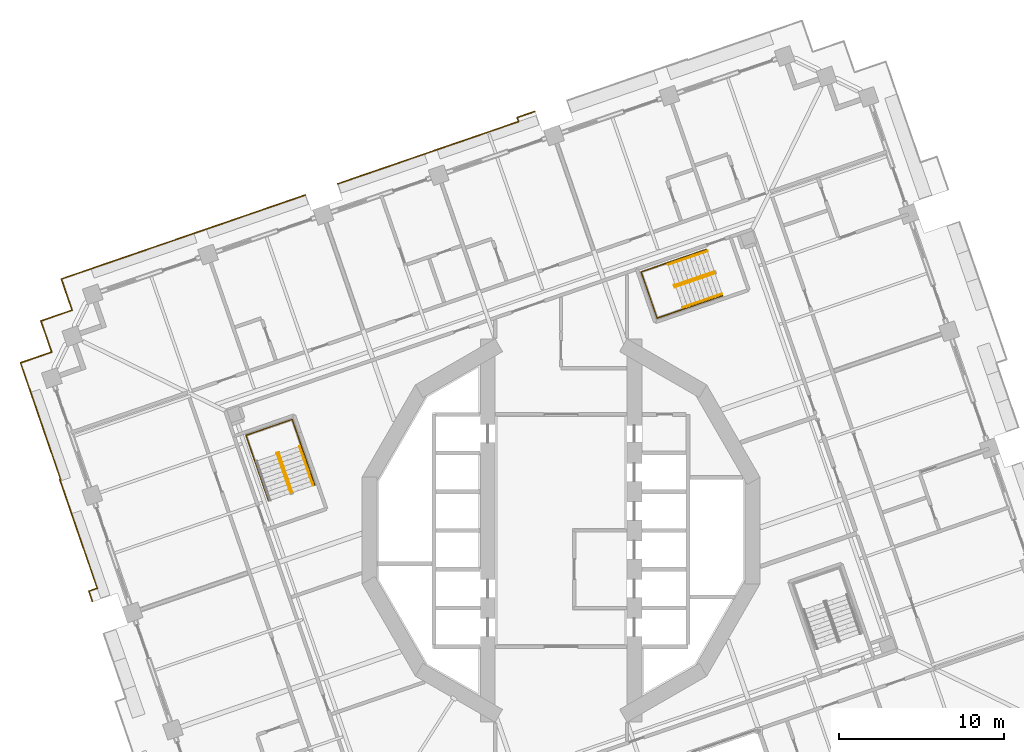
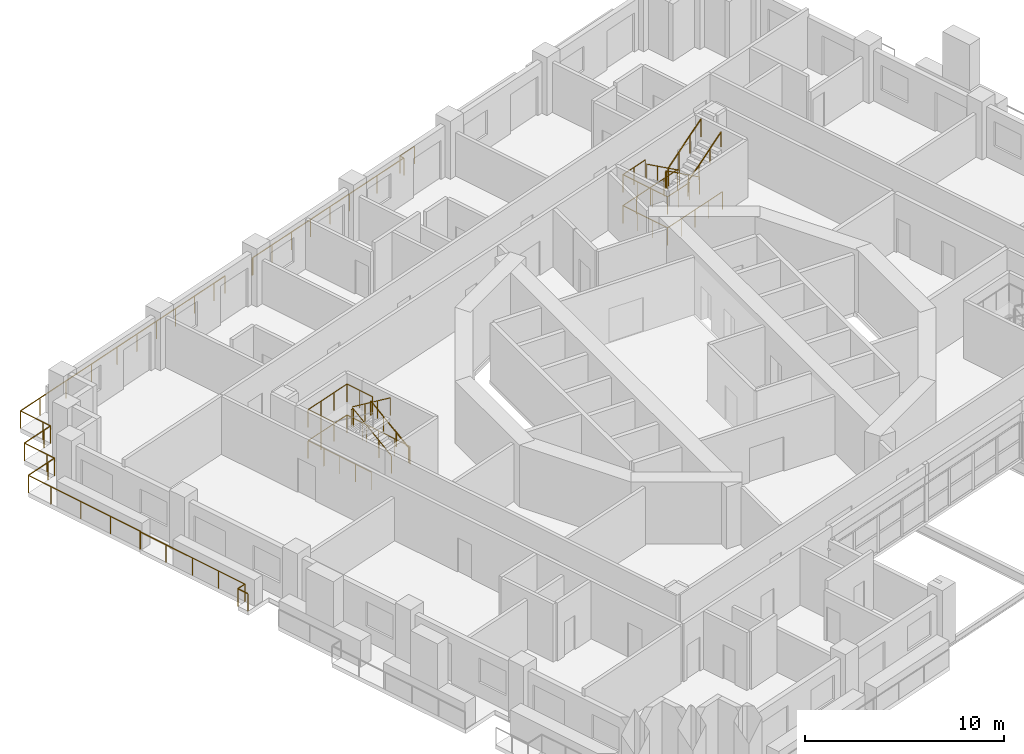
# One storey, part 19 of 22: 14 railings.
"""IFC4 building model written with IfcOpenShell, lengths in metres."""

from ifc_helpers import new_model, si_unit, direction, frame, origin, origin_2d, place, context, subcontext, project, spatial, circle, extrude, material, type_object, element, save


model = new_model("IFC4")

# Units and contexts
model_context = context("Model", 3, precision=1e-05, world=origin(), true_north=direction((0.0, 1.0)))
body_context = subcontext(model_context, "Body", "Model", "MODEL_VIEW")
ifc_project = project(units=[si_unit("LENGTHUNIT", "METRE"), si_unit("AREAUNIT", "SQUARE_METRE"), si_unit("VOLUMEUNIT", "CUBIC_METRE"), si_unit("PLANEANGLEUNIT", "RADIAN"), si_unit("MASSUNIT", "GRAM", prefix="KILO")], contexts=[model_context])

# Site, building, storey
site_placement = place(None, origin())
site = spatial("IfcSite", under=ifc_project, at=site_placement, CompositionType="ELEMENT")
building_placement = place(site_placement, origin())
building = spatial("IfcBuilding", under=site, at=building_placement, Name="Cantera Rosa Tower", CompositionType="ELEMENT")
storey_placement = place(building_placement, frame((0.0, 0.0, 104.10009765625)))
storey = spatial("IfcBuildingStorey", under=building, at=storey_placement, Name="L20", CompositionType="ELEMENT", Elevation=104.10009765625)

# Railings
ifc_material_1 = material(Name="Stainless steel and laminated glass", Category="steel")
railing_type_1 = type_object("IfcRailingType", Name="GUARD 1100", PredefinedType="BALUSTRADE", material=ifc_material_1)
railing_1_placement = place(storey_placement, frame((-29.6689453125, 13.369140625, 0.0)))
element("IfcRailing", 1, at=railing_1_placement, inside=storey, type_object=railing_type_1, Name="GUARD L20-5", PredefinedType="BALUSTRADE", context=body_context, shape_type="SweptSolid", body=[
    extrude(circle(Radius=0.030029296875, at=origin_2d()), frame((0.0, 0.0, 1.070068359375), z_axis=(-0.32573481536, 0.945461173218, 0.0), x_axis=(-0.945461173218, -0.32573481536, 0.0)), (0.0, 0.0, 1.0), 0.5),
    extrude(circle(Radius=0.030029296875, at=origin_2d()), frame((-0.162841796875, 0.47265625, 1.070068359375), z_axis=(-0.325489086777, 0.945545797087, 0.0), x_axis=(-0.945545797087, -0.325489086777, 0.0)), (0.0, 0.0, 1.0), 1.500244140625),
    extrude(circle(Radius=0.030029296875, at=origin_2d()), frame((-0.651123046875, 1.89111328125, 1.070068359375), z_axis=(0.945528551438, 0.325539181077, 0.0), x_axis=(-0.325539181077, 0.945528551438, 0.0)), (0.0, 0.0, 1.0), 1.5),
    extrude(circle(Radius=0.030029296875, at=origin_2d()), frame((0.76708984375, 2.37939453125, 1.070068359375), z_axis=(0.945517123015, 0.325572373037, 0.0), x_axis=(-0.325572373037, 0.945517123015, 0.0)), (0.0, 0.0, 1.0), 5.900146484375),
    extrude(circle(Radius=0.030029296875, at=origin_2d()), frame((6.345703125, 4.30029296875, 1.070068359375), z_axis=(0.945528551438, 0.325539181077, 0.0), x_axis=(-0.325539181077, 0.945528551438, 0.0)), (0.0, 0.0, 1.0), 2.999755859375),
    extrude(circle(Radius=0.030029296875, at=origin_2d()), frame((9.18212890625, 5.27685546875, 1.070068359375), z_axis=(0.945513227049, 0.325583687361, 0.0), x_axis=(-0.325583687361, 0.945513227049, 0.0)), (0.0, 0.0, 1.0), 4.400146484375),
    extrude(circle(Radius=0.030029296875, at=origin_2d()), frame((13.342529296875, 6.70947265625, 1.070068359375), z_axis=(0.945522007901, 0.325558186158, 0.0), x_axis=(-0.325558186158, 0.945522007901, 0.0)), (0.0, 0.0, 1.0), 0.869873046875),
    extrude(circle(Radius=0.02490234375, at=origin_2d()), origin(), (0.0, 0.0, 1.0), 1.0400390625),
    extrude(circle(Radius=0.02490234375, at=origin_2d()), frame((-0.162841796875, 0.47265625, 0.0)), (0.0, 0.0, 1.0), 1.0400390625),
    extrude(circle(Radius=0.02490234375, at=origin_2d()), frame((-0.651123046875, 1.89111328125, 0.0)), (0.0, 0.0, 1.0), 1.0400390625),
    extrude(circle(Radius=0.02490234375, at=origin_2d()), frame((0.76708984375, 2.37939453125, 0.0)), (0.0, 0.0, 1.0), 1.0400390625),
    extrude(circle(Radius=0.02490234375, at=origin_2d()), frame((2.626708984375, 3.019775390625, 0.0)), (0.0, 0.0, 1.0), 1.0400390625),
    extrude(circle(Radius=0.02490234375, at=origin_2d()), frame((4.486083984375, 3.659912109375, 0.0)), (0.0, 0.0, 1.0), 1.0400390625),
    extrude(circle(Radius=0.02490234375, at=origin_2d()), frame((6.345703125, 4.30029296875, 0.0)), (0.0, 0.0, 1.0), 1.0400390625),
    extrude(circle(Radius=0.02490234375, at=origin_2d()), frame((7.763916015625, 4.78857421875, 0.0)), (0.0, 0.0, 1.0), 1.0400390625),
    extrude(circle(Radius=0.02490234375, at=origin_2d()), frame((9.18212890625, 5.27685546875, 0.0)), (0.0, 0.0, 1.0), 1.0400390625),
    extrude(circle(Radius=0.02490234375, at=origin_2d()), frame((10.56884765625, 5.75439453125, 0.0)), (0.0, 0.0, 1.0), 1.0400390625),
    extrude(circle(Radius=0.02490234375, at=origin_2d()), frame((11.955810546875, 6.23193359375, 0.0)), (0.0, 0.0, 1.0), 1.0400390625),
    extrude(circle(Radius=0.02490234375, at=origin_2d()), frame((13.342529296875, 6.70947265625, 0.0)), (0.0, 0.0, 1.0), 1.0400390625),
    extrude(circle(Radius=0.02490234375, at=origin_2d()), frame((14.1650390625, 6.99267578125, 0.0)), (0.0, 0.0, 1.0), 1.0400390625),
])
railing_2_placement = place(storey_placement, frame((-28.4375, -4.302734375, 0.0)))
element("IfcRailing", 2, at=railing_2_placement, inside=storey, type_object=railing_type_1, Name="GUARD L20-6", PredefinedType="BALUSTRADE", context=body_context, shape_type="SweptSolid", body=[
    extrude(circle(Radius=0.030029296875, at=origin_2d()), frame((0.0, 0.0, 1.070068359375), z_axis=(-0.325659546452, 0.945487101871, 0.0), x_axis=(-0.945487101871, -0.325659546452, 0.0)), (0.0, 0.0, 1.0), 0.658935546875),
    extrude(circle(Radius=0.030029296875, at=origin_2d()), frame((-0.214599609375, 0.623046875, 1.070068359375), z_axis=(0.945368163096, 0.326004656722, 0.0), x_axis=(-0.326004656722, 0.945368163096, 0.0)), (0.0, 0.0, 1.0), 0.538330078125),
    extrude(circle(Radius=0.030029296875, at=origin_2d()), frame((0.29443359375, 0.798583984375, 1.070068359375), z_axis=(-0.325570342636, 0.945517822146, 0.0), x_axis=(-0.945517822146, -0.325570342636, 0.0)), (0.0, 0.0, 1.0), 6.9814453125),
    extrude(circle(Radius=0.030029296875, at=origin_2d()), frame((-1.978515625, 7.399658203125, 1.070068359375), z_axis=(0.946241776499, 0.323460199109, 0.0), x_axis=(-0.323460199109, 0.946241776499, 0.0)), (0.0, 0.0, 1.0), 0.050537109375),
    extrude(circle(Radius=0.030029296875, at=origin_2d()), frame((-1.9306640625, 7.416015625, 1.070068359375), z_axis=(-0.325549503815, 0.945524997325, 0.0), x_axis=(-0.945524997325, -0.325549503815, 0.0)), (0.0, 0.0, 1.0), 5.969482421875),
    extrude(circle(Radius=0.030029296875, at=origin_2d()), frame((-3.8740234375, 13.060302734375, 1.070068359375), z_axis=(-0.325539181077, 0.945528551438, 0.0), x_axis=(-0.945528551438, -0.325539181077, 0.0)), (0.0, 0.0, 1.0), 1.5),
    extrude(circle(Radius=0.030029296875, at=origin_2d()), frame((-4.3623046875, 14.478515625, 1.070068359375), z_axis=(0.945528551438, 0.325539181077, 0.0), x_axis=(-0.325539181077, 0.945528551438, 0.0)), (0.0, 0.0, 1.0), 1.5),
    extrude(circle(Radius=0.030029296875, at=origin_2d()), frame((-2.944091796875, 14.966796875, 1.070068359375), z_axis=(0.945461173218, 0.32573481536, 0.0), x_axis=(-0.32573481536, 0.945461173218, 0.0)), (0.0, 0.0, 1.0), 0.5),
    extrude(circle(Radius=0.030029296875, at=origin_2d()), frame((-2.471435546875, 15.129638671875, 1.070068359375), z_axis=(-0.325147989177, 0.945663145699, 0.0), x_axis=(-0.945663145699, -0.325147989177, 0.0)), (0.0, 0.0, 1.0), 0.5),
    extrude(circle(Radius=0.030029296875, at=origin_2d()), frame((-2.634033203125, 15.6025390625, 1.070068359375), z_axis=(-0.325684689469, 0.945478441343, 0.0), x_axis=(-0.945478441343, -0.325684689469, 0.0)), (0.0, 0.0, 1.0), 1.5),
    extrude(circle(Radius=0.030029296875, at=origin_2d()), frame((-3.12255859375, 17.020751953125, 1.070068359375), z_axis=(0.945545797087, 0.325489086777, 0.0), x_axis=(-0.325489086777, 0.945545797087, 0.0)), (0.0, 0.0, 1.0), 1.500244140625),
    extrude(circle(Radius=0.030029296875, at=origin_2d()), frame((-1.7041015625, 17.509033203125, 1.070068359375), z_axis=(0.945461173218, 0.32573481536, 0.0), x_axis=(-0.32573481536, 0.945461173218, 0.0)), (0.0, 0.0, 1.0), 0.5),
    extrude(circle(Radius=0.02490234375, at=origin_2d()), origin(), (0.0, 0.0, 1.0), 1.0400390625),
    extrude(circle(Radius=0.02490234375, at=origin_2d()), frame((-0.214599609375, 0.623046875, 0.0)), (0.0, 0.0, 1.0), 1.0400390625),
    extrude(circle(Radius=0.02490234375, at=origin_2d()), frame((0.29443359375, 0.798583984375, 0.0)), (0.0, 0.0, 1.0), 1.0400390625),
    extrude(circle(Radius=0.02490234375, at=origin_2d()), frame((-0.27392578125, 2.44873046875, 0.0)), (0.0, 0.0, 1.0), 1.0400390625),
    extrude(circle(Radius=0.02490234375, at=origin_2d()), frame((-0.842041015625, 4.09912109375, 0.0)), (0.0, 0.0, 1.0), 1.0400390625),
    extrude(circle(Radius=0.02490234375, at=origin_2d()), frame((-1.41015625, 5.74951171875, 0.0)), (0.0, 0.0, 1.0), 1.0400390625),
    extrude(circle(Radius=0.02490234375, at=origin_2d()), frame((-1.978515625, 7.399658203125, 0.0)), (0.0, 0.0, 1.0), 1.0400390625),
    extrude(circle(Radius=0.02490234375, at=origin_2d()), frame((-1.9306640625, 7.416015625, 0.0)), (0.0, 0.0, 1.0), 1.0400390625),
    extrude(circle(Radius=0.02490234375, at=origin_2d()), frame((-2.578369140625, 9.29736328125, 0.0)), (0.0, 0.0, 1.0), 1.0400390625),
    extrude(circle(Radius=0.02490234375, at=origin_2d()), frame((-3.226318359375, 11.178955078125, 0.0)), (0.0, 0.0, 1.0), 1.0400390625),
    extrude(circle(Radius=0.02490234375, at=origin_2d()), frame((-3.8740234375, 13.060302734375, 0.0)), (0.0, 0.0, 1.0), 1.0400390625),
    extrude(circle(Radius=0.02490234375, at=origin_2d()), frame((-4.3623046875, 14.478515625, 0.0)), (0.0, 0.0, 1.0), 1.0400390625),
    extrude(circle(Radius=0.02490234375, at=origin_2d()), frame((-2.944091796875, 14.966796875, 0.0)), (0.0, 0.0, 1.0), 1.0400390625),
    extrude(circle(Radius=0.02490234375, at=origin_2d()), frame((-2.471435546875, 15.129638671875, 0.0)), (0.0, 0.0, 1.0), 1.0400390625),
    extrude(circle(Radius=0.02490234375, at=origin_2d()), frame((-2.634033203125, 15.6025390625, 0.0)), (0.0, 0.0, 1.0), 1.0400390625),
    extrude(circle(Radius=0.02490234375, at=origin_2d()), frame((-3.12255859375, 17.020751953125, 0.0)), (0.0, 0.0, 1.0), 1.0400390625),
    extrude(circle(Radius=0.02490234375, at=origin_2d()), frame((-1.7041015625, 17.509033203125, 0.0)), (0.0, 0.0, 1.0), 1.0400390625),
    extrude(circle(Radius=0.02490234375, at=origin_2d()), frame((-1.2314453125, 17.671875, 0.0)), (0.0, 0.0, 1.0), 1.0400390625),
])
railing_3_placement = place(storey_placement, frame((-13.55615234375, 21.032470703125, 0.0)))
element("IfcRailing", 3, at=railing_3_placement, inside=storey, type_object=railing_type_1, Name="GUARD L20-7", PredefinedType="BALUSTRADE", context=body_context, shape_type="SweptSolid", body=[
    extrude(circle(Radius=0.030029296875, at=origin_2d()), frame((0.0, 0.0, 1.070068359375), z_axis=(0.946220044844, 0.323523765333, 0.0), x_axis=(-0.323523765333, 0.946220044844, 0.0)), (0.0, 0.0, 1.0), 0.070068359375),
    extrude(circle(Radius=0.030029296875, at=origin_2d()), frame((0.06640625, 0.022705078125, 1.070068359375), z_axis=(0.945507344955, 0.325600768791, 0.0), x_axis=(-0.325600768791, 0.945507344955, 0.0)), (0.0, 0.0, 1.0), 4.39990234375),
    extrude(circle(Radius=0.030029296875, at=origin_2d()), frame((4.2265625, 1.455322265625, 1.070068359375), z_axis=(0.945537175258, 0.325514132114, 0.0), x_axis=(-0.325514132114, 0.945537175258, 0.0)), (0.0, 0.0, 1.0), 3.0),
    extrude(circle(Radius=0.030029296875, at=origin_2d()), frame((7.063232421875, 2.431884765625, 1.070068359375), z_axis=(0.94551645067, 0.325574325633, 0.0), x_axis=(-0.325574325633, 0.94551645067, 0.0)), (0.0, 0.0, 1.0), 4.138671875),
    extrude(circle(Radius=0.030029296875, at=origin_2d()), frame((10.976318359375, 3.779296875, 1.070068359375), z_axis=(-0.325731798778, 0.9454622125, 0.0), x_axis=(-0.9454622125, -0.325731798778, 0.0)), (0.0, 0.0, 1.0), 0.261474609375),
    extrude(circle(Radius=0.030029296875, at=origin_2d()), frame((10.89111328125, 4.026611328125, 1.070068359375), z_axis=(0.945508186981, 0.325598323632, 0.0), x_axis=(-0.325598323632, 0.945508186981, 0.0)), (0.0, 0.0, 1.0), 1.131591796875),
    extrude(circle(Radius=0.02490234375, at=origin_2d()), origin(), (0.0, 0.0, 1.0), 1.0400390625),
    extrude(circle(Radius=0.02490234375, at=origin_2d()), frame((0.06640625, 0.022705078125, 0.0)), (0.0, 0.0, 1.0), 1.0400390625),
    extrude(circle(Radius=0.02490234375, at=origin_2d()), frame((1.453125, 0.500244140625, 0.0)), (0.0, 0.0, 1.0), 1.0400390625),
    extrude(circle(Radius=0.02490234375, at=origin_2d()), frame((2.83984375, 0.977783203125, 0.0)), (0.0, 0.0, 1.0), 1.0400390625),
    extrude(circle(Radius=0.02490234375, at=origin_2d()), frame((4.2265625, 1.455322265625, 0.0)), (0.0, 0.0, 1.0), 1.0400390625),
    extrude(circle(Radius=0.02490234375, at=origin_2d()), frame((5.64501953125, 1.943603515625, 0.0)), (0.0, 0.0, 1.0), 1.0400390625),
    extrude(circle(Radius=0.02490234375, at=origin_2d()), frame((7.063232421875, 2.431884765625, 0.0)), (0.0, 0.0, 1.0), 1.0400390625),
    extrude(circle(Radius=0.02490234375, at=origin_2d()), frame((9.019775390625, 3.10546875, 0.0)), (0.0, 0.0, 1.0), 1.0400390625),
    extrude(circle(Radius=0.02490234375, at=origin_2d()), frame((10.976318359375, 3.779296875, 0.0)), (0.0, 0.0, 1.0), 1.0400390625),
    extrude(circle(Radius=0.02490234375, at=origin_2d()), frame((10.89111328125, 4.026611328125, 0.0)), (0.0, 0.0, 1.0), 1.0400390625),
    extrude(circle(Radius=0.02490234375, at=origin_2d()), frame((11.9609375, 4.39501953125, 0.0)), (0.0, 0.0, 1.0), 1.0400390625),
])
ifc_material_2 = material(Name="Steel S355J2 (EN 10025-2)", Category="steel")
railing_type_2 = type_object("IfcRailingType", Name="STAIR GUARD 1100", PredefinedType="GUARDRAIL", material=ifc_material_2)
railing_4_placement = place(storey_placement, frame((9.307861328125, 15.7021484375, 0.18994140625)))
element("IfcRailing", 4, at=railing_4_placement, inside=storey, type_object=railing_type_2, Name="L20 ST-21 stair guard 1", PredefinedType="GUARDRAIL", context=body_context, shape_type="SweptSolid", body=[
    extrude(circle(Radius=0.02392578125, at=origin_2d()), frame((0.0, 0.0, 1.076171875), z_axis=(-0.782404165978, -0.269432418223, 0.561471186323), x_axis=(0.325599548996, -0.94550776501, 0.0)), (0.0, 0.0, 1.0), 3.04541015625),
    extrude(circle(Radius=0.02392578125, at=origin_2d()), frame((-2.3828125, -0.820556640625, 2.7861328125), z_axis=(-0.989063265047, 0.147491890402, 0.0), x_axis=(-0.147491890402, -0.989063265047, 0.0)), (0.0, 0.0, 1.0), 0.056396484375),
    extrude(circle(Radius=0.02392578125, at=origin_2d()), frame((-2.4384765625, -0.812255859375, 2.7861328125), z_axis=(0.325990683319, -0.945372981626, 0.0), x_axis=(0.945372981626, 0.325990683319, 0.0)), (0.0, 0.0, 1.0), 0.14990234375),
    extrude(circle(Radius=0.02099609375, at=origin_2d()), origin(), (0.0, 0.0, 1.0), 1.052001953125),
    extrude(circle(Radius=0.02099609375, at=origin_2d()), frame((-0.794189453125, -0.2734375, 0.570068359375)), (0.0, 0.0, 1.0), 1.052001953125),
    extrude(circle(Radius=0.02099609375, at=origin_2d()), frame((-1.588623046875, -0.547119140625, 1.139892578125)), (0.0, 0.0, 1.0), 1.052001953125),
    extrude(circle(Radius=0.02099609375, at=origin_2d()), frame((-2.3828125, -0.820556640625, 1.7099609375)), (0.0, 0.0, 1.0), 1.052001953125),
    extrude(circle(Radius=0.02099609375, at=origin_2d()), frame((-2.4384765625, -0.812255859375, 1.7099609375)), (0.0, 0.0, 1.0), 1.052001953125),
    extrude(circle(Radius=0.02099609375, at=origin_2d()), frame((-2.3896484375, -0.953857421875, 1.7099609375)), (0.0, 0.0, 1.0), 1.052001953125),
])
railing_5_placement = place(storey_placement, frame((6.95703125, 14.7890625, 2.08984375)))
element("IfcRailing", 5, at=railing_5_placement, inside=storey, type_object=railing_type_2, Name="L20 ST-21 stair guard 2", PredefinedType="GUARDRAIL", context=body_context, shape_type="SweptSolid", body=[
    extrude(circle(Radius=0.02392578125, at=origin_2d()), frame((0.0, 0.0, 1.076171875), z_axis=(0.782389970342, 0.269374966733, 0.561518531845), x_axis=(-0.325542759796, 0.945527319301, 0.0)), (0.0, 0.0, 1.0), 3.045166015625),
    extrude(circle(Radius=0.02099609375, at=origin_2d()), origin(), (0.0, 0.0, 1.0), 1.052001953125),
    extrude(circle(Radius=0.02099609375, at=origin_2d()), frame((0.794189453125, 0.2734375, 0.570068359375)), (0.0, 0.0, 1.0), 1.052001953125),
    extrude(circle(Radius=0.02099609375, at=origin_2d()), frame((1.58837890625, 0.546875, 1.139892578125)), (0.0, 0.0, 1.0), 1.052001953125),
    extrude(circle(Radius=0.02099609375, at=origin_2d()), frame((2.382568359375, 0.8203125, 1.7099609375)), (0.0, 0.0, 1.0), 1.052001953125),
])
railing_6_placement = place(storey_placement, frame((8.828857421875, 17.055908203125, 0.0)))
element("IfcRailing", 6, at=railing_6_placement, inside=storey, type_object=railing_type_2, Name="L20 ST-21 stair guard 4", PredefinedType="GUARDRAIL", context=body_context, shape_type="SweptSolid", body=[
    extrude(circle(Radius=0.02392578125, at=origin_2d()), frame((0.0, 0.0, 1.076171875), z_axis=(-0.945519978022, -0.325564081496, 0.0), x_axis=(0.325564081496, -0.945519978022, 0.0)), (0.0, 0.0, 1.0), 4.197998046875),
    extrude(circle(Radius=0.02392578125, at=origin_2d()), frame((-3.96923828125, -1.36669921875, 1.076171875), z_axis=(0.325608117645, -0.945504814226, 0.0), x_axis=(0.945504814226, 0.325608117645, 0.0)), (0.0, 0.0, 1.0), 2.969970703125),
    extrude(circle(Radius=0.02392578125, at=origin_2d()), frame((-3.002197265625, -4.1748046875, 1.076171875), z_axis=(0.945519978022, 0.325564081496, 0.0), x_axis=(-0.325564081496, 0.945519978022, 0.0)), (0.0, 0.0, 1.0), 4.197998046875),
    extrude(circle(Radius=0.02099609375, at=origin_2d()), origin(), (0.0, 0.0, 1.0), 1.052001953125),
    extrude(circle(Radius=0.02099609375, at=origin_2d()), frame((-0.9921875, -0.341796875, 0.0)), (0.0, 0.0, 1.0), 1.052001953125),
    extrude(circle(Radius=0.02099609375, at=origin_2d()), frame((-1.984619140625, -0.683349609375, 0.0)), (0.0, 0.0, 1.0), 1.052001953125),
    extrude(circle(Radius=0.02099609375, at=origin_2d()), frame((-2.97705078125, -1.02490234375, 0.0)), (0.0, 0.0, 1.0), 1.052001953125),
    extrude(circle(Radius=0.02099609375, at=origin_2d()), frame((-3.96923828125, -1.36669921875, 0.0)), (0.0, 0.0, 1.0), 1.052001953125),
    extrude(circle(Radius=0.02099609375, at=origin_2d()), frame((-3.64697265625, -2.302734375, 0.0)), (0.0, 0.0, 1.0), 1.052001953125),
    extrude(circle(Radius=0.02099609375, at=origin_2d()), frame((-3.324462890625, -3.23876953125, 0.0)), (0.0, 0.0, 1.0), 1.052001953125),
    extrude(circle(Radius=0.02099609375, at=origin_2d()), frame((-3.002197265625, -4.1748046875, 0.0)), (0.0, 0.0, 1.0), 1.052001953125),
    extrude(circle(Radius=0.02099609375, at=origin_2d()), frame((-2.009765625, -3.8330078125, 0.0)), (0.0, 0.0, 1.0), 1.052001953125),
    extrude(circle(Radius=0.02099609375, at=origin_2d()), frame((-1.017578125, -3.491455078125, 0.0)), (0.0, 0.0, 1.0), 1.052001953125),
    extrude(circle(Radius=0.02099609375, at=origin_2d()), frame((-0.025390625, -3.14990234375, 0.0)), (0.0, 0.0, 1.0), 1.052001953125),
    extrude(circle(Radius=0.02099609375, at=origin_2d()), frame((0.967041015625, -2.80810546875, 0.0)), (0.0, 0.0, 1.0), 1.052001953125),
])
railing_7_placement = place(storey_placement, frame((6.468994140625, 16.243408203125, 1.89990234375)))
element("IfcRailing", 7, at=railing_7_placement, inside=storey, type_object=railing_type_2, Name="L20 ST-21 stair guard 5", PredefinedType="GUARDRAIL", context=body_context, shape_type="SweptSolid", body=[
    extrude(circle(Radius=0.02392578125, at=origin_2d()), frame((0.0, 0.0, 1.076171875), z_axis=(-0.94551008141, -0.32559282233, 0.0), x_axis=(0.32559282233, -0.94551008141, 0.0)), (0.0, 0.0, 1.0), 1.7021484375),
    extrude(circle(Radius=0.02392578125, at=origin_2d()), frame((-1.609375, -0.55419921875, 1.076171875), z_axis=(0.325608117645, -0.945504814226, 0.0), x_axis=(0.945504814226, 0.325608117645, 0.0)), (0.0, 0.0, 1.0), 2.969970703125),
    extrude(circle(Radius=0.02392578125, at=origin_2d()), frame((-0.642333984375, -3.3623046875, 1.076171875), z_axis=(0.945539033546, 0.325508734201, 0.0), x_axis=(-0.325508734201, 0.945539033546, 0.0)), (0.0, 0.0, 1.0), 1.701904296875),
    extrude(circle(Radius=0.02099609375, at=origin_2d()), origin(), (0.0, 0.0, 1.0), 1.052001953125),
    extrude(circle(Radius=0.02099609375, at=origin_2d()), frame((-0.8046875, -0.277099609375, 0.0)), (0.0, 0.0, 1.0), 1.052001953125),
    extrude(circle(Radius=0.02099609375, at=origin_2d()), frame((-1.609375, -0.55419921875, 0.0)), (0.0, 0.0, 1.0), 1.052001953125),
    extrude(circle(Radius=0.02099609375, at=origin_2d()), frame((-1.287109375, -1.490234375, 0.0)), (0.0, 0.0, 1.0), 1.052001953125),
    extrude(circle(Radius=0.02099609375, at=origin_2d()), frame((-0.964599609375, -2.42626953125, 0.0)), (0.0, 0.0, 1.0), 1.052001953125),
    extrude(circle(Radius=0.02099609375, at=origin_2d()), frame((-0.642333984375, -3.3623046875, 0.0)), (0.0, 0.0, 1.0), 1.052001953125),
    extrude(circle(Radius=0.02099609375, at=origin_2d()), frame((0.162109375, -3.08544921875, 0.0)), (0.0, 0.0, 1.0), 1.052001953125),
    extrude(circle(Radius=0.02099609375, at=origin_2d()), frame((0.966796875, -2.808349609375, 0.0)), (0.0, 0.0, 1.0), 1.052001953125),
])
railing_8_placement = place(storey_placement, frame((-16.2978515625, 2.292236328125, 0.18994140625)))
element("IfcRailing", 8, at=railing_8_placement, inside=storey, type_object=railing_type_2, Name="L20 ST-22 stair guard 1", PredefinedType="GUARDRAIL", context=body_context, shape_type="SweptSolid", body=[
    extrude(circle(Radius=0.02392578125, at=origin_2d()), frame((0.0, 0.0, 1.076171875), z_axis=(-0.269432418223, 0.782404165978, 0.561471186323), x_axis=(-0.94550776501, -0.325599548996, 0.0)), (0.0, 0.0, 1.0), 3.04541015625),
    extrude(circle(Radius=0.02392578125, at=origin_2d()), frame((-0.820556640625, 2.3828125, 2.7861328125), z_axis=(0.147491890402, 0.989063265047, 0.0), x_axis=(-0.989063265047, 0.147491890402, 0.0)), (0.0, 0.0, 1.0), 0.056396484375),
    extrude(circle(Radius=0.02392578125, at=origin_2d()), frame((-0.812255859375, 2.4384765625, 2.7861328125), z_axis=(-0.945372981626, -0.325990683319, 0.0), x_axis=(0.325990683319, -0.945372981626, 0.0)), (0.0, 0.0, 1.0), 0.14990234375),
    extrude(circle(Radius=0.02099609375, at=origin_2d()), origin(), (0.0, 0.0, 1.0), 1.052001953125),
    extrude(circle(Radius=0.02099609375, at=origin_2d()), frame((-0.2734375, 0.794189453125, 0.570068359375)), (0.0, 0.0, 1.0), 1.052001953125),
    extrude(circle(Radius=0.02099609375, at=origin_2d()), frame((-0.547119140625, 1.588623046875, 1.139892578125)), (0.0, 0.0, 1.0), 1.052001953125),
    extrude(circle(Radius=0.02099609375, at=origin_2d()), frame((-0.820556640625, 2.3828125, 1.7099609375)), (0.0, 0.0, 1.0), 1.052001953125),
    extrude(circle(Radius=0.02099609375, at=origin_2d()), frame((-0.812255859375, 2.4384765625, 1.7099609375)), (0.0, 0.0, 1.0), 1.052001953125),
    extrude(circle(Radius=0.02099609375, at=origin_2d()), frame((-0.953857421875, 2.3896484375, 1.7099609375)), (0.0, 0.0, 1.0), 1.052001953125),
])
railing_9_placement = place(storey_placement, frame((-17.2109375, 4.64306640625, 2.08984375)))
element("IfcRailing", 9, at=railing_9_placement, inside=storey, type_object=railing_type_2, Name="L20 ST-22 stair guard 2", PredefinedType="GUARDRAIL", context=body_context, shape_type="SweptSolid", body=[
    extrude(circle(Radius=0.02392578125, at=origin_2d()), frame((0.0, 0.0, 1.076171875), z_axis=(0.269358070891, -0.782421063063, 0.561483312059), x_axis=(0.945537585866, 0.325512939397, 0.0)), (0.0, 0.0, 1.0), 3.04541015625),
    extrude(circle(Radius=0.02099609375, at=origin_2d()), origin(), (0.0, 0.0, 1.0), 1.052001953125),
    extrude(circle(Radius=0.02099609375, at=origin_2d()), frame((0.2734375, -0.794189453125, 0.570068359375)), (0.0, 0.0, 1.0), 1.052001953125),
    extrude(circle(Radius=0.02099609375, at=origin_2d()), frame((0.546875, -1.588623046875, 1.139892578125)), (0.0, 0.0, 1.0), 1.052001953125),
    extrude(circle(Radius=0.02099609375, at=origin_2d()), frame((0.8203125, -2.3828125, 1.7099609375)), (0.0, 0.0, 1.0), 1.052001953125),
])
railing_10_placement = place(storey_placement, frame((-14.944091796875, 2.77099609375, 0.0)))
element("IfcRailing", 10, at=railing_10_placement, inside=storey, type_object=railing_type_2, Name="L20 ST-22 stair guard 4", PredefinedType="GUARDRAIL", context=body_context, shape_type="SweptSolid", body=[
    extrude(circle(Radius=0.02392578125, at=origin_2d()), frame((0.0, 0.0, 1.076171875), z_axis=(-0.325546180042, 0.945526141712, 0.0), x_axis=(-0.945526141712, -0.325546180042, 0.0)), (0.0, 0.0, 1.0), 4.1982421875),
    extrude(circle(Radius=0.02392578125, at=origin_2d()), frame((-1.36669921875, 3.969482421875, 1.076171875), z_axis=(-0.945504814226, -0.325608117645, 0.0), x_axis=(0.325608117645, -0.945504814226, 0.0)), (0.0, 0.0, 1.0), 2.969970703125),
    extrude(circle(Radius=0.02392578125, at=origin_2d()), frame((-4.1748046875, 3.00244140625, 1.076171875), z_axis=(0.325564081496, -0.945519978022, 0.0), x_axis=(0.945519978022, 0.325564081496, 0.0)), (0.0, 0.0, 1.0), 4.197998046875),
    extrude(circle(Radius=0.02099609375, at=origin_2d()), origin(), (0.0, 0.0, 1.0), 1.052001953125),
    extrude(circle(Radius=0.02099609375, at=origin_2d()), frame((-0.341796875, 0.992431640625, 0.0)), (0.0, 0.0, 1.0), 1.052001953125),
    extrude(circle(Radius=0.02099609375, at=origin_2d()), frame((-0.683349609375, 1.98486328125, 0.0)), (0.0, 0.0, 1.0), 1.052001953125),
    extrude(circle(Radius=0.02099609375, at=origin_2d()), frame((-1.02490234375, 2.97705078125, 0.0)), (0.0, 0.0, 1.0), 1.052001953125),
    extrude(circle(Radius=0.02099609375, at=origin_2d()), frame((-1.36669921875, 3.969482421875, 0.0)), (0.0, 0.0, 1.0), 1.052001953125),
    extrude(circle(Radius=0.02099609375, at=origin_2d()), frame((-2.302734375, 3.647216796875, 0.0)), (0.0, 0.0, 1.0), 1.052001953125),
    extrude(circle(Radius=0.02099609375, at=origin_2d()), frame((-3.23876953125, 3.32470703125, 0.0)), (0.0, 0.0, 1.0), 1.052001953125),
    extrude(circle(Radius=0.02099609375, at=origin_2d()), frame((-4.1748046875, 3.00244140625, 0.0)), (0.0, 0.0, 1.0), 1.052001953125),
    extrude(circle(Radius=0.02099609375, at=origin_2d()), frame((-3.8330078125, 2.01025390625, 0.0)), (0.0, 0.0, 1.0), 1.052001953125),
    extrude(circle(Radius=0.02099609375, at=origin_2d()), frame((-3.491455078125, 1.017822265625, 0.0)), (0.0, 0.0, 1.0), 1.052001953125),
    extrude(circle(Radius=0.02099609375, at=origin_2d()), frame((-3.14990234375, 0.025390625, 0.0)), (0.0, 0.0, 1.0), 1.052001953125),
    extrude(circle(Radius=0.02099609375, at=origin_2d()), frame((-2.80810546875, -0.966796875, 0.0)), (0.0, 0.0, 1.0), 1.052001953125),
])
railing_11_placement = place(storey_placement, frame((-15.756591796875, 5.131103515625, 1.89990234375)))
element("IfcRailing", 11, at=railing_11_placement, inside=storey, type_object=railing_type_2, Name="L20 ST-22 stair guard 5", PredefinedType="GUARDRAIL", context=body_context, shape_type="SweptSolid", body=[
    extrude(circle(Radius=0.02392578125, at=origin_2d()), frame((0.0, 0.0, 1.076171875), z_axis=(-0.32559282233, 0.94551008141, 0.0), x_axis=(-0.94551008141, -0.32559282233, 0.0)), (0.0, 0.0, 1.0), 1.7021484375),
    extrude(circle(Radius=0.02392578125, at=origin_2d()), frame((-0.55419921875, 1.609375, 1.076171875), z_axis=(-0.945504814226, -0.325608117645, 0.0), x_axis=(0.325608117645, -0.945504814226, 0.0)), (0.0, 0.0, 1.0), 2.969970703125),
    extrude(circle(Radius=0.02392578125, at=origin_2d()), frame((-3.3623046875, 0.642333984375, 1.076171875), z_axis=(0.325464585813, -0.945554230799, 0.0), x_axis=(0.945554230799, 0.325464585813, 0.0)), (0.0, 0.0, 1.0), 1.7021484375),
    extrude(circle(Radius=0.02099609375, at=origin_2d()), origin(), (0.0, 0.0, 1.0), 1.052001953125),
    extrude(circle(Radius=0.02099609375, at=origin_2d()), frame((-0.277099609375, 0.8046875, 0.0)), (0.0, 0.0, 1.0), 1.052001953125),
    extrude(circle(Radius=0.02099609375, at=origin_2d()), frame((-0.55419921875, 1.609375, 0.0)), (0.0, 0.0, 1.0), 1.052001953125),
    extrude(circle(Radius=0.02099609375, at=origin_2d()), frame((-1.490234375, 1.287109375, 0.0)), (0.0, 0.0, 1.0), 1.052001953125),
    extrude(circle(Radius=0.02099609375, at=origin_2d()), frame((-2.42626953125, 0.964599609375, 0.0)), (0.0, 0.0, 1.0), 1.052001953125),
    extrude(circle(Radius=0.02099609375, at=origin_2d()), frame((-3.3623046875, 0.642333984375, 0.0)), (0.0, 0.0, 1.0), 1.052001953125),
    extrude(circle(Radius=0.02099609375, at=origin_2d()), frame((-3.08544921875, -0.162353515625, 0.0)), (0.0, 0.0, 1.0), 1.052001953125),
    extrude(circle(Radius=0.02099609375, at=origin_2d()), frame((-2.808349609375, -0.967041015625, 0.0)), (0.0, 0.0, 1.0), 1.052001953125),
])
ifc_material_3 = material(Name="Steel S355J2 (EN 10025-2)", Category="steel")
railing_type_3 = type_object("IfcRailingType", Name="STAIR HANDRAIL 900", PredefinedType="HANDRAIL", material=ifc_material_3)
railing_12_placement = place(storey_placement, frame((8.8759765625, 16.955810546875, 0.18994140625)))
element("IfcRailing", 12, at=railing_12_placement, inside=storey, type_object=railing_type_3, Name="L20 ST-21 stair handrail 1", PredefinedType="HANDRAIL", context=body_context, shape_type="SweptSolid", body=[
    extrude(circle(Radius=0.02392578125, at=origin_2d()), frame((0.0, 0.0, 0.8759765625), z_axis=(-0.782389970342, -0.269374966733, 0.561518531845), x_axis=(0.325542759796, -0.945527319301, 0.0)), (0.0, 0.0, 1.0), 3.045166015625),
    extrude(circle(Radius=0.02099609375, at=origin_2d()), origin(), (0.0, 0.0, 1.0), 0.851806640625),
    extrude(circle(Radius=0.02099609375, at=origin_2d()), frame((-0.794189453125, -0.2734375, 0.570068359375)), (0.0, 0.0, 1.0), 0.851806640625),
    extrude(circle(Radius=0.02099609375, at=origin_2d()), frame((-1.58837890625, -0.546875, 1.139892578125)), (0.0, 0.0, 1.0), 0.851806640625),
    extrude(circle(Radius=0.02099609375, at=origin_2d()), frame((-2.382568359375, -0.8203125, 1.7099609375)), (0.0, 0.0, 1.0), 0.851806640625),
])
railing_13_placement = place(storey_placement, frame((7.388671875, 13.53515625, 2.08984375)))
element("IfcRailing", 13, at=railing_13_placement, inside=storey, type_object=railing_type_3, Name="L20 ST-21 stair handrail 2", PredefinedType="HANDRAIL", context=body_context, shape_type="SweptSolid", body=[
    extrude(circle(Radius=0.02392578125, at=origin_2d()), frame((0.0, 0.0, 0.8759765625), z_axis=(0.782404165978, 0.269432418223, 0.561471186323), x_axis=(-0.325599548996, 0.94550776501, 0.0)), (0.0, 0.0, 1.0), 3.04541015625),
    extrude(circle(Radius=0.02099609375, at=origin_2d()), origin(), (0.0, 0.0, 1.0), 0.851806640625),
    extrude(circle(Radius=0.02099609375, at=origin_2d()), frame((0.794189453125, 0.2734375, 0.570068359375)), (0.0, 0.0, 1.0), 0.851806640625),
    extrude(circle(Radius=0.02099609375, at=origin_2d()), frame((1.588623046875, 0.547119140625, 1.139892578125)), (0.0, 0.0, 1.0), 0.851806640625),
    extrude(circle(Radius=0.02099609375, at=origin_2d()), frame((2.3828125, 0.820556640625, 1.7099609375)), (0.0, 0.0, 1.0), 0.851806640625),
])
railing_14_placement = place(storey_placement, frame((-15.044189453125, 2.723876953125, 0.18994140625)))
element("IfcRailing", 14, at=railing_14_placement, inside=storey, type_object=railing_type_3, Name="L20 ST-22 stair handrail 1", PredefinedType="HANDRAIL", context=body_context, shape_type="SweptSolid", body=[
    extrude(circle(Radius=0.02392578125, at=origin_2d()), frame((0.0, 0.0, 0.8759765625), z_axis=(-0.269358070891, 0.782421063063, 0.561483312059), x_axis=(-0.945537585866, -0.325512939397, 0.0)), (0.0, 0.0, 1.0), 3.04541015625),
    extrude(circle(Radius=0.02099609375, at=origin_2d()), origin(), (0.0, 0.0, 1.0), 0.851806640625),
    extrude(circle(Radius=0.02099609375, at=origin_2d()), frame((-0.2734375, 0.794189453125, 0.570068359375)), (0.0, 0.0, 1.0), 0.851806640625),
    extrude(circle(Radius=0.02099609375, at=origin_2d()), frame((-0.546875, 1.588623046875, 1.139892578125)), (0.0, 0.0, 1.0), 0.851806640625),
    extrude(circle(Radius=0.02099609375, at=origin_2d()), frame((-0.8203125, 2.3828125, 1.7099609375)), (0.0, 0.0, 1.0), 0.851806640625),
])

save(model, "model.ifc")
